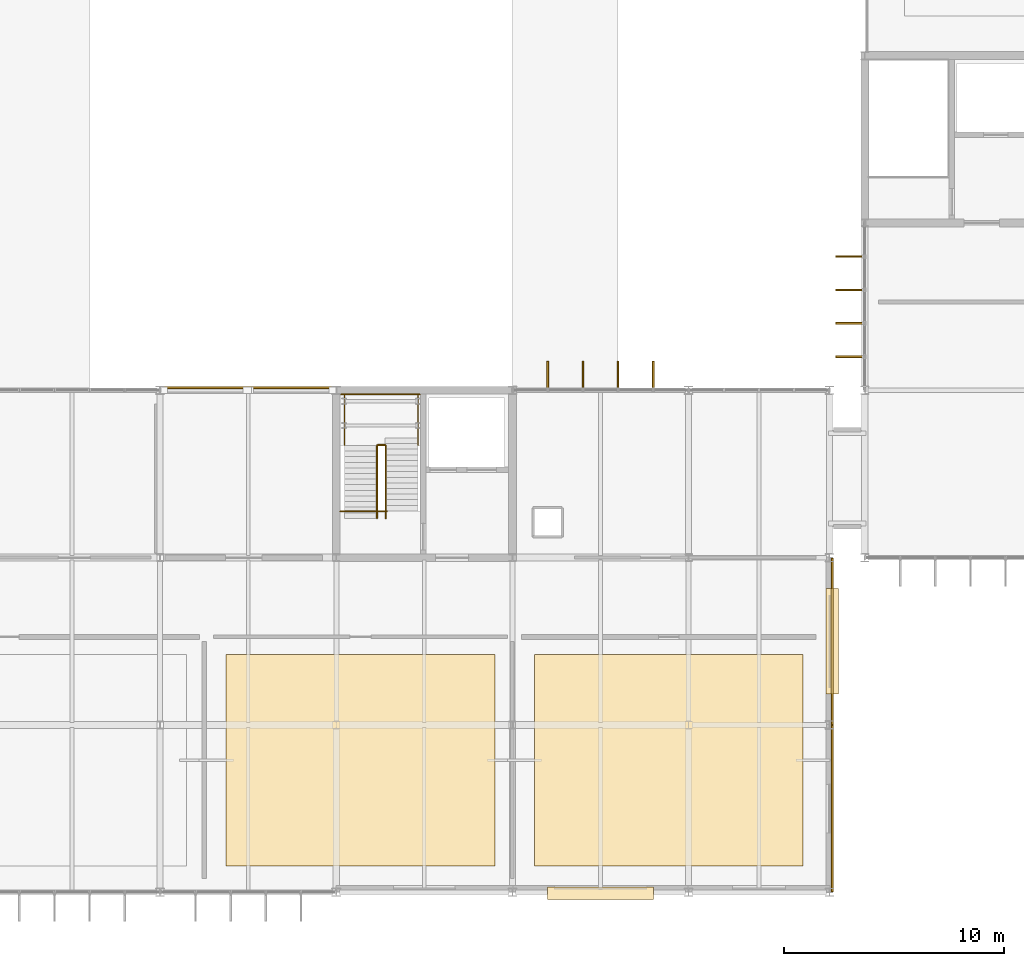
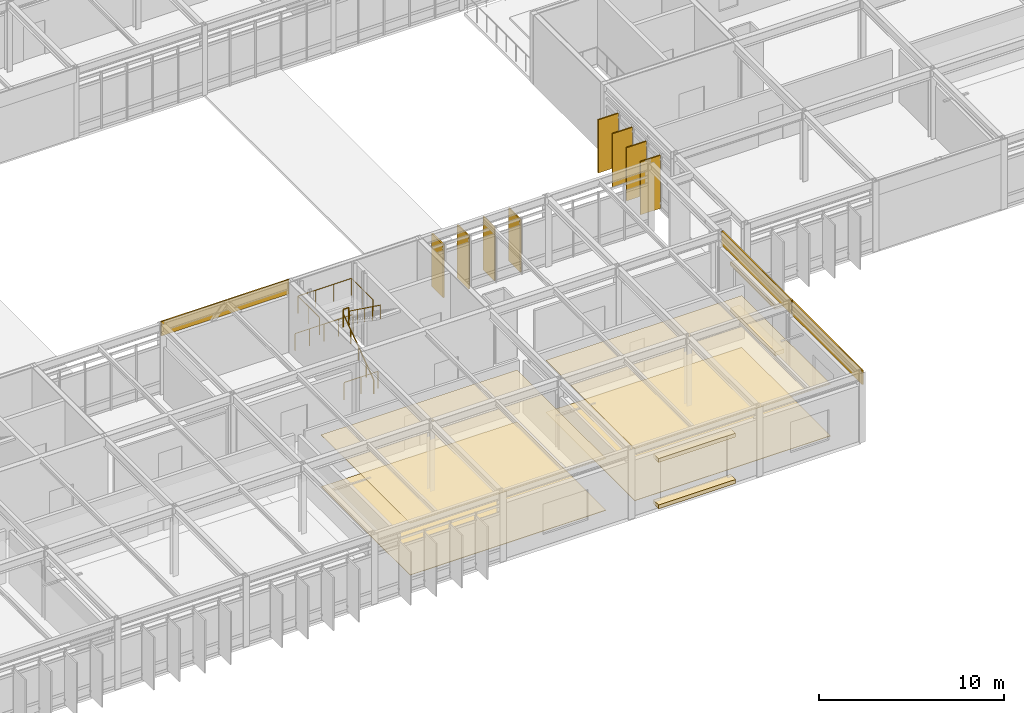
# One storey, part 95 of 100: 11 coverings, 8 shading devices, 6 railings.
"""IFC4 building model written with IfcOpenShell, lengths in metres."""

import ifcopenshell
import ifcopenshell.guid

model = None  # the IFC model being written
_history = None  # IfcOwnerHistory: only IFC2X3 demands one
_inside = {}  # id of a spatial element -> (the spatial element, [elements in it])
_under = {}  # id of a project, library or spatial element -> (it, [spatial elements below it])
_declared = {}  # id of a project -> (the project, [libraries it declares])
_typed = {}  # id of a type object -> (the type object, [elements of that type])
_made_of = {}  # id of a material, layer set ... -> (it, [elements and type objects made of it])


def new_model(schema):
    """Start an empty IFC model of exactly this schema.

    Asked for "IFC4X3", IfcOpenShell would pick the latest addendum, in which some entities
    have other attributes; the version numbers below select the first issue.
    IFC2X3 requires an IfcOwnerHistory on every rooted entity: one is made here for all.
    """
    global model, _history
    if schema == "IFC4X3":
        model = ifcopenshell.file(schema_version=(4, 3, 0, 0))
    else:
        model = ifcopenshell.file(schema=schema)
    _inside.clear()
    _under.clear()
    _declared.clear()
    _typed.clear()
    _made_of.clear()
    _history = None
    if model.schema == "IFC2X3":
        org = make("IfcOrganization", Name="unknown")
        user = make(
            "IfcPersonAndOrganization",
            ThePerson=make("IfcPerson", FamilyName="unknown"),
            TheOrganization=org,
        )
        app = make(
            "IfcApplication",
            ApplicationDeveloper=org,
            Version="unknown",
            ApplicationFullName="unknown",
            ApplicationIdentifier="unknown",
        )
        _history = make(
            "IfcOwnerHistory",
            OwningUser=user,
            OwningApplication=app,
            ChangeAction="ADDED",
            CreationDate=0,
        )
    return model


def make(cls, **values):
    """One entity of the class cls with the attributes given. An attribute that is None is left unset."""
    return model.create_entity(
        cls, **{name: value for name, value in values.items() if value is not None}
    )


def rooted(cls, **values):
    """An entity with a GlobalId (a new one), such as an element, a storey or a relation."""
    return make(cls, GlobalId=ifcopenshell.guid.new(), OwnerHistory=_history, **values)


def si_unit(unit_type, name, prefix=None):
    """IfcSIUnit, for example si_unit("LENGTHUNIT", "METRE", prefix="MILLI")."""
    return make("IfcSIUnit", UnitType=unit_type, Prefix=prefix, Name=name)


def assignment(units):
    """IfcUnitAssignment: the units of a project."""
    return None if units is None else make("IfcUnitAssignment", Units=units)


def point(xyz):
    """IfcCartesianPoint."""
    return None if xyz is None else make("IfcCartesianPoint", Coordinates=xyz)


def direction(xyz):
    """IfcDirection."""
    return None if xyz is None else make("IfcDirection", DirectionRatios=xyz)


def frame(location, z_axis=None, x_axis=None):
    """IfcAxis2Placement3D, a coordinate frame: its origin and axes. An axis left out is left unset."""
    return make(
        "IfcAxis2Placement3D",
        Location=point(location),
        Axis=direction(z_axis),
        RefDirection=direction(x_axis),
    )


def frame_2d(location, x_axis=None):
    """IfcAxis2Placement2D, a coordinate frame in the plane: its origin and x axis."""
    return make(
        "IfcAxis2Placement2D", Location=point(location), RefDirection=direction(x_axis)
    )


def origin():
    """The frame at (0, 0, 0) with its axes left unset."""
    return frame((0.0, 0.0, 0.0))


def origin_2d():
    """The frame at (0, 0) in the plane with its x axis left unset."""
    return frame_2d((0.0, 0.0))


def place(relative_to, where):
    """IfcLocalPlacement: puts the frame where relative to a parent placement (None: the world)."""
    return make(
        "IfcLocalPlacement", PlacementRelTo=relative_to, RelativePlacement=where
    )


def context(
    kind, dimensions, precision=None, world=None, true_north=None, identifier=None
):
    """IfcGeometricRepresentationContext, for example the 3D "Model" context."""
    return make(
        "IfcGeometricRepresentationContext",
        ContextIdentifier=identifier,
        ContextType=kind,
        CoordinateSpaceDimension=dimensions,
        Precision=precision,
        WorldCoordinateSystem=world,
        TrueNorth=true_north,
    )


def subcontext(parent, identifier, kind, view, scale=None):
    """IfcGeometricRepresentationSubContext, for example "Body" below "Model"."""
    return make(
        "IfcGeometricRepresentationSubContext",
        ContextIdentifier=identifier,
        ContextType=kind,
        ParentContext=parent,
        TargetScale=scale,
        TargetView=view,
    )


def project(units=None, contexts=None):
    """IfcProject with its units and contexts."""
    return rooted(
        "IfcProject",
        Name="project",
        RepresentationContexts=contexts,
        UnitsInContext=assignment(units),
    )


def spatial(cls, under=None, at=None, **own):
    """A site, building, storey or space (cls), placed at a placement, below another one or the project."""
    s = rooted(cls, ObjectPlacement=at, **own)
    if under is not None:
        _under.setdefault(under.id(), (under, []))[1].append(s)
    return s


def polyline(points):
    """IfcPolyline through the points."""
    return make("IfcPolyline", Points=[point(p) for p in points])


def profile(cls, at=None, kind="AREA", **sizes):
    """A parametric profile (cls). Its sizes go by their IFC names, for example OverallWidth=200.0."""
    return make(cls, ProfileType=kind, Position=at, **sizes)


def rectangle(**sizes):
    """IfcRectangleProfileDef."""
    return profile("IfcRectangleProfileDef", **sizes)


def circle(**sizes):
    """IfcCircleProfileDef."""
    return profile("IfcCircleProfileDef", **sizes)


def outline(outer, holes=None, kind="AREA"):
    """IfcArbitraryClosedProfileDef: a profile drawn as a closed curve; with holes, ...WithVoids."""
    if holes is None:
        return make("IfcArbitraryClosedProfileDef", ProfileType=kind, OuterCurve=outer)
    return make(
        "IfcArbitraryProfileDefWithVoids",
        ProfileType=kind,
        OuterCurve=outer,
        InnerCurves=holes,
    )


def extrude(swept, where, along, depth):
    """IfcExtrudedAreaSolid: the profile swept, set in the frame where, extruded along a direction by depth."""
    return make(
        "IfcExtrudedAreaSolid",
        SweptArea=swept,
        Position=where,
        ExtrudedDirection=direction(along),
        Depth=depth,
    )


def shape(context_of_items, identifier, shape_type, items):
    """IfcShapeRepresentation: the items that make up one representation, for example the "Body"."""
    return make(
        "IfcShapeRepresentation",
        ContextOfItems=context_of_items,
        RepresentationIdentifier=identifier,
        RepresentationType=shape_type,
        Items=items,
    )


def material(Name=None, Category=None):
    """IfcMaterial."""
    return make("IfcMaterial", Name=Name, Category=Category)


def layer(
    of_material, thickness, ventilated=None, Name=None, Category=None, Priority=None
):
    """IfcMaterialLayer: one layer of a wall or slab, of a material (None: an air gap)."""
    return make(
        "IfcMaterialLayer",
        Material=of_material,
        LayerThickness=thickness,
        IsVentilated=ventilated,
        Name=Name,
        Category=Category,
        Priority=Priority,
    )


def layer_set(layers, Name=None):
    """IfcMaterialLayerSet."""
    return make("IfcMaterialLayerSet", MaterialLayers=layers, LayerSetName=Name)


def made_of(thing, what):
    """Note that an element or type object is made of a material, layer set ...; save() writes the relation."""
    if what is not None:
        _made_of.setdefault(what.id(), (what, []))[1].append(thing)
    return thing


def type_object(cls, material=None, **own):
    """A type object (cls), such as IfcWallType, which elements share."""
    return made_of(rooted(cls, **own), material)


def element(
    cls,
    number,
    at=None,
    inside=None,
    cuts=None,
    type_object=None,
    material=None,
    context=None,
    identifier="Body",
    shape_type=None,
    held_by="IfcProductDefinitionShape",
    body=None,
    shapes=None,
    **own,
):
    """One element of the class cls, such as IfcWall. Its Tag is "e" and its number.

    at: its placement. inside: the storey or other place that contains it. cuts: it is an
    opening in that element (IfcRelVoidsElement). A single representation is given by context,
    identifier, shape_type and body (its items); several are given by shapes. held_by: the class
    of the entity that holds the representations. save() writes the other relations.
    """
    e = rooted(cls, Tag="e%d" % number, ObjectPlacement=at, **own)
    if body is not None:
        shapes = [shape(context, identifier, shape_type, body)]
    if shapes is not None:
        e.Representation = make(held_by, Representations=shapes)
    if inside is not None:
        _inside.setdefault(inside.id(), (inside, []))[1].append(e)
    if cuts is not None:
        rooted(
            "IfcRelVoidsElement", RelatingBuildingElement=cuts, RelatedOpeningElement=e
        )
    if type_object is not None:
        _typed.setdefault(type_object.id(), (type_object, []))[1].append(e)
    return made_of(e, material)


def aggregate(whole, parts):
    """IfcRelAggregates: a whole, such as a stair, and the parts it consists of."""
    return rooted("IfcRelAggregates", RelatingObject=whole, RelatedObjects=parts)


def save(model, path):
    """Write the relations noted so far, then the file.

    IfcRelAggregates (storeys below a building ...), IfcRelContainedInSpatialStructure (elements
    in a storey), IfcRelDefinesByType, IfcRelAssociatesMaterial and IfcRelDeclares: one each for
    every whole, place, type object, material and project.
    """
    for whole, parts in _under.values():
        aggregate(whole, parts)
    for where, things in _inside.values():
        rooted(
            "IfcRelContainedInSpatialStructure",
            RelatedElements=things,
            RelatingStructure=where,
        )
    for kind, things in _typed.values():
        rooted("IfcRelDefinesByType", RelatedObjects=things, RelatingType=kind)
    for what, things in _made_of.values():
        rooted("IfcRelAssociatesMaterial", RelatedObjects=things, RelatingMaterial=what)
    for by, libraries in _declared.values():
        rooted("IfcRelDeclares", RelatingContext=by, RelatedDefinitions=libraries)
    model.write(path)


model = new_model("IFC4")

# Units and contexts
model_context = context("Model", 3, precision=1e-05, world=origin(), true_north=direction((0.0, 1.0)))
body_context = subcontext(model_context, "Body", "Model", "MODEL_VIEW")
ifc_project = project(units=[si_unit("LENGTHUNIT", "METRE"), si_unit("AREAUNIT", "SQUARE_METRE"), si_unit("VOLUMEUNIT", "CUBIC_METRE"), si_unit("PLANEANGLEUNIT", "RADIAN"), si_unit("MASSUNIT", "GRAM", prefix="KILO")], contexts=[model_context])

# Site, building, storey
site_placement = place(None, origin())
site = spatial("IfcSite", under=ifc_project, at=site_placement, CompositionType="ELEMENT")
building_placement = place(site_placement, origin())
building = spatial("IfcBuilding", under=site, at=building_placement, Name="Zulena Civic Courthouse", CompositionType="ELEMENT")
storey_placement = place(building_placement, frame((0.0, 0.0, 20.39990234375)))
storey = spatial("IfcBuildingStorey", under=building, at=storey_placement, Name="L04", CompositionType="ELEMENT", Elevation=20.39990234375)

# Coverings
ifc_material_1 = material(Name="Perforated acoustic mineral-fibre ceiling tile", Category="concrete")
ifc_layer_1 = layer(ifc_material_1, 0.02490234375)
ifc_layer_set_1 = layer_set([ifc_layer_1], Name="Perforated acoustic mineral-fibre ceiling tile")
covering_type_1 = type_object("IfcCoveringType", Name="AcousticCeiling_25", PredefinedType="CEILING", material=ifc_layer_set_1)
covering_1_placement = place(storey_placement, frame((0.0, 0.0, 3.420166015625)))
element("IfcCovering", 1, at=covering_1_placement, inside=storey, type_object=covering_type_1, Name="ceil:L04:325", PredefinedType="CEILING", context=body_context, shape_type="SweptSolid", body=[
    extrude(outline(polyline([(39.0, 1.199951171875), (51.199951171875, 1.199951171875), (51.199951171875, 10.800048828125), (39.0, 10.800048828125), (39.0, 1.199951171875)])), origin(), (0.0, 0.0, 1.0), 0.02490234375),
])
covering_2_placement = place(storey_placement, frame((0.0, 0.0, 3.420166015625)))
element("IfcCovering", 2, at=covering_2_placement, inside=storey, type_object=covering_type_1, Name="ceil:L04:326", PredefinedType="CEILING", context=body_context, shape_type="SweptSolid", body=[
    extrude(outline(polyline([(53.0, 1.199951171875), (65.199951171875, 1.199951171875), (65.199951171875, 10.800048828125), (53.0, 10.800048828125), (53.0, 1.199951171875)])), origin(), (0.0, 0.0, 1.0), 0.02490234375),
])

# Shading devices
ifc_material_2 = material(Name="Gold anodised architectural aluminium AA6063-T6", Category="aluminium")
shading_device_type = type_object("IfcShadingDeviceType", Name="GoldSolarFin_350", PredefinedType="USERDEFINED", material=ifc_material_2)
for number, where, z_axis, x_axis, name in (
    (3, (53.607177734375, 23.485107421875, 0.050048828125), (0.0, 0.0, 1.0), (0.0, 1.0, 0.0), "fin:V2:L04:1:6:1"),
    (4, (55.202392578125, 23.485107421875, 0.050048828125), (0.0, 0.0, 1.0), (0.0, 1.0, 0.0), "fin:V2:L04:1:6:2"),
    (5, (56.797607421875, 23.485107421875, 0.050048828125), (0.0, 0.0, 1.0), (0.0, 1.0, 0.0), "fin:V2:L04:1:6:3"),
    (6, (58.392822265625, 23.485107421875, 0.050048828125), (0.0, 0.0, 1.0), (0.0, 1.0, 0.0), "fin:V2:L04:1:6:4"),
    (7, (67.31494140625, 24.3271484375, 0.050048828125), (0.0, 0.0, 1.0), (-1.0, 0.0, 0.0), "fin:V4:L04:0:1:1"),
    (8, (67.31494140625, 25.84228515625, 0.050048828125), (0.0, 0.0, 1.0), (-1.0, 0.0, 0.0), "fin:V4:L04:0:1:2"),
    (9, (67.31494140625, 27.357666015625, 0.050048828125), (0.0, 0.0, 1.0), (-1.0, 0.0, 0.0), "fin:V4:L04:0:1:3"),
    (10, (67.31494140625, 28.872802734375, 0.050048828125), (0.0, 0.0, 1.0), (-1.0, 0.0, 0.0), "fin:V4:L04:0:1:4"),
):
    element("IfcShadingDevice", number, at=place(storey_placement, frame(where, z_axis=z_axis, x_axis=x_axis)), inside=storey, type_object=shading_device_type, Name=name, ObjectType="FIN", PredefinedType="USERDEFINED", context=body_context, shape_type="SweptSolid", body=[
        extrude(rectangle(XDim=1.25, YDim=0.080078125, at=origin_2d()), origin(), (0.0, 0.0, 1.0), 3.5),
    ])

# Railings
ifc_material_3 = material(Name="Brushed architectural steel ASTM A36", Category="steel")
railing_type_1 = type_object("IfcRailingType", Name="InteriorGuardrail_1150", PredefinedType="GUARDRAIL", material=ifc_material_3)
railing_1_placement = place(storey_placement, frame((44.199951171875, 22.610107421875, 0.0)))
element("IfcRailing", 11, at=railing_1_placement, inside=storey, type_object=railing_type_1, Name="gr:wellN:K2B:L03", PredefinedType="GUARDRAIL", context=body_context, shape_type="SweptSolid", body=[
    extrude(circle(Radius=0.02392578125, at=origin_2d()), frame((0.00390625, 0.0, 1.1259765625), z_axis=(1.0, 0.0, 0.0), x_axis=(0.0, 1.0, 0.0)), (0.0, 0.0, 1.0), 3.592041015625),
    extrude(circle(Radius=0.02099609375, at=origin_2d()), origin(), (0.0, 0.0, 1.0), 1.097900390625),
    extrude(circle(Radius=0.02099609375, at=origin_2d()), frame((0.89990234375, 0.0, 0.0)), (0.0, 0.0, 1.0), 1.097900390625),
    extrude(circle(Radius=0.02099609375, at=origin_2d()), frame((1.800048828125, 0.0, 0.0)), (0.0, 0.0, 1.0), 1.097900390625),
    extrude(circle(Radius=0.02099609375, at=origin_2d()), frame((2.7001953125, 0.0, 0.0)), (0.0, 0.0, 1.0), 1.097900390625),
    extrude(circle(Radius=0.02099609375, at=origin_2d()), frame((3.60009765625, 0.0, 0.0)), (0.0, 0.0, 1.0), 1.097900390625),
])
railing_2_placement = place(storey_placement, frame((44.179931640625, 17.300048828125, 0.0)))
element("IfcRailing", 12, at=railing_2_placement, inside=storey, type_object=railing_type_1, Name="gr:wells:K2B:L04", PredefinedType="GUARDRAIL", context=body_context, shape_type="SweptSolid", body=[
    extrude(circle(Radius=0.02392578125, at=origin_2d()), frame((0.00390625, 0.0, 1.1259765625), z_axis=(1.0, 0.0, 0.0), x_axis=(0.0, 1.0, 0.0)), (0.0, 0.0, 1.0), 2.112060546875),
    extrude(circle(Radius=0.02099609375, at=origin_2d()), origin(), (0.0, 0.0, 1.0), 1.097900390625),
    extrude(circle(Radius=0.02099609375, at=origin_2d()), frame((1.06005859375, 0.0, 0.0)), (0.0, 0.0, 1.0), 1.097900390625),
    extrude(circle(Radius=0.02099609375, at=origin_2d()), frame((2.1201171875, 0.0, 0.0)), (0.0, 0.0, 1.0), 1.097900390625),
])
railing_3_placement = place(storey_placement, frame((44.3798828125, 20.294677734375, 2.400146484375)))
element("IfcRailing", 13, at=railing_3_placement, inside=storey, type_object=railing_type_1, Name="gr:lnd:K2B:L04", PredefinedType="GUARDRAIL", context=body_context, shape_type="SweptSolid", body=[
    extrude(circle(Radius=0.02392578125, at=origin_2d()), frame((0.0, 0.00390625, 1.1259765625), z_axis=(0.0, 1.0, 0.0), x_axis=(-1.0, 0.0, 0.0)), (0.0, 0.0, 1.0), 2.3173828125),
    extrude(circle(Radius=0.02392578125, at=origin_2d()), frame((0.00390625, 2.325439453125, 1.1259765625), z_axis=(1.0, 0.0, 0.0), x_axis=(0.0, 1.0, 0.0)), (0.0, 0.0, 1.0), 3.33203125),
    extrude(circle(Radius=0.02392578125, at=origin_2d()), frame((3.340087890625, 2.321533203125, 1.1259765625), z_axis=(0.0, -1.0, 0.0), x_axis=(1.0, 0.0, 0.0)), (0.0, 0.0, 1.0), 2.3173828125),
    extrude(circle(Radius=0.02099609375, at=origin_2d()), origin(), (0.0, 0.0, 1.0), 1.097900390625),
    extrude(circle(Radius=0.02099609375, at=origin_2d()), frame((0.0, 1.16259765625, 0.0)), (0.0, 0.0, 1.0), 1.097900390625),
    extrude(circle(Radius=0.02099609375, at=origin_2d()), frame((0.0, 2.325439453125, 0.0)), (0.0, 0.0, 1.0), 1.097900390625),
    extrude(circle(Radius=0.02099609375, at=origin_2d()), frame((1.11328125, 2.325439453125, 0.0)), (0.0, 0.0, 1.0), 1.097900390625),
    extrude(circle(Radius=0.02099609375, at=origin_2d()), frame((2.226806640625, 2.325439453125, 0.0)), (0.0, 0.0, 1.0), 1.097900390625),
    extrude(circle(Radius=0.02099609375, at=origin_2d()), frame((3.340087890625, 2.325439453125, 0.0)), (0.0, 0.0, 1.0), 1.097900390625),
    extrude(circle(Radius=0.02099609375, at=origin_2d()), frame((3.340087890625, 1.16259765625, 0.0)), (0.0, 0.0, 1.0), 1.097900390625),
    extrude(circle(Radius=0.02099609375, at=origin_2d()), frame((3.340087890625, 0.0, 0.0)), (0.0, 0.0, 1.0), 1.097900390625),
])
railing_4_placement = place(storey_placement, frame((45.8798828125, 20.31494140625, 2.400146484375)))
element("IfcRailing", 14, at=railing_4_placement, inside=storey, type_object=railing_type_1, Name="gr:lndslot:K2B:L04", PredefinedType="GUARDRAIL", context=body_context, shape_type="SweptSolid", body=[
    extrude(circle(Radius=0.02392578125, at=origin_2d()), frame((0.00390625, 0.0, 1.1259765625), z_axis=(1.0, 0.0, 0.0), x_axis=(0.0, 1.0, 0.0)), (0.0, 0.0, 1.0), 0.33203125),
    extrude(circle(Radius=0.02099609375, at=origin_2d()), origin(), (0.0, 0.0, 1.0), 1.097900390625),
    extrude(circle(Radius=0.02099609375, at=origin_2d()), frame((0.340087890625, 0.0, 0.0)), (0.0, 0.0, 1.0), 1.097900390625),
])

# Coverings
ifc_material_4 = material(Name="White architectural precast concrete C40/50", Category="concrete")
ifc_layer_2 = layer(ifc_material_4, 0.0849609375)
ifc_layer_set_2 = layer_set([ifc_layer_2], Name="White architectural precast concrete C40/50")
covering_type_2 = type_object("IfcCoveringType", Name="PrecastSpandrelCladding_85", PredefinedType="CLADDING", material=ifc_layer_set_2)
covering_3_placement = place(storey_placement, frame((40.0, 22.919921875, 3.66015625), z_axis=(0.0, 0.0, 1.0), x_axis=(1.0, 0.0, 0.0)))
element("IfcCovering", 15, at=covering_3_placement, inside=storey, type_object=covering_type_2, Name="clad:sp:V2:L04:1:4", PredefinedType="CLADDING", context=body_context, shape_type="SweptSolid", body=[
    extrude(rectangle(XDim=7.9599609375, YDim=0.0849609375, at=origin_2d()), origin(), (0.0, 0.0, 1.0), 0.93994140625),
])
covering_4_placement = place(storey_placement, frame((66.52001953125, 11.39990234375, 3.66015625), z_axis=(0.0, 0.0, 1.0), x_axis=(0.0, -1.0, 0.0)))
element("IfcCovering", 16, at=covering_4_placement, inside=storey, type_object=covering_type_2, Name="clad:sp:V2:L04:2:1", PredefinedType="CLADDING", context=body_context, shape_type="SweptSolid", body=[
    extrude(rectangle(XDim=7.56005859375, YDim=0.0849609375, at=origin_2d()), origin(), (0.0, 0.0, 1.0), 0.93994140625),
])
for number, where, z_axis, x_axis, name in (
    (17, (66.52001953125, 11.39990234375, 3.240234375), (0.0, 0.0, 1.0), (1.0, 0.0, 0.0), "clad:outlook:L04:2:1:top"),
    (18, (66.52001953125, 11.39990234375, 0.18994140625), (0.0, 0.0, 1.0), (1.0, 0.0, 0.0), "clad:outlook:L04:2:1:bot"),
):
    element("IfcCovering", number, at=place(storey_placement, frame(where, z_axis=z_axis, x_axis=x_axis)), inside=storey, type_object=covering_type_2, Name=name, PredefinedType="CLADDING", context=body_context, shape_type="SweptSolid", body=[
        extrude(rectangle(XDim=0.56005859375, YDim=4.800048828125, at=origin_2d()), origin(), (0.0, 0.0, 1.0), 0.260009765625),
    ])
covering_5_placement = place(storey_placement, frame((66.52001953125, 3.800048828125, 3.66015625), z_axis=(0.0, 0.0, 1.0), x_axis=(0.0, -1.0, 0.0)))
element("IfcCovering", 19, at=covering_5_placement, inside=storey, type_object=covering_type_2, Name="clad:sp:V2:L04:2:2", PredefinedType="CLADDING", context=body_context, shape_type="SweptSolid", body=[
    extrude(rectangle(XDim=7.56005859375, YDim=0.0849609375, at=origin_2d()), origin(), (0.0, 0.0, 1.0), 0.93994140625),
])
for number, where, z_axis, x_axis, name in (
    (20, (56.0, -0.0400390625, 3.240234375), (0.0, 0.0, 1.0), (1.0, 0.0, 0.0), "clad:outlook:L04:3:1:top"),
    (21, (56.0, -0.0400390625, 0.18994140625), (0.0, 0.0, 1.0), (1.0, 0.0, 0.0), "clad:outlook:L04:3:1:bot"),
):
    element("IfcCovering", number, at=place(storey_placement, frame(where, z_axis=z_axis, x_axis=x_axis)), inside=storey, type_object=covering_type_2, Name=name, PredefinedType="CLADDING", context=body_context, shape_type="SweptSolid", body=[
        extrude(rectangle(XDim=4.800048828125, YDim=0.56005859375, at=origin_2d()), origin(), (0.0, 0.0, 1.0), 0.260009765625),
    ])

# Railings
railing_type_2 = type_object("IfcRailingType", Name="StairHandrail_920", PredefinedType="HANDRAIL", material=ifc_material_3)
railing_5_placement = place(storey_placement, frame((45.85009765625, 16.97998046875, 0.0)))
element("IfcRailing", 22, at=railing_5_placement, inside=storey, type_object=railing_type_2, Name="hr:K2B:L04:1", PredefinedType="HANDRAIL", context=body_context, shape_type="SweptSolid", body=[
    extrude(circle(Radius=0.02392578125, at=origin_2d()), frame((0.0, 0.003173828125, 0.898193359375), z_axis=(0.0, 0.809959711079, 0.586485521074), x_axis=(-1.0, 0.0, 0.0)), (0.0, 0.0, 1.0), 4.08447265625),
    extrude(circle(Radius=0.02099609375, at=origin_2d()), origin(), (0.0, 0.0, 1.0), 0.867919921875),
    extrude(circle(Radius=0.02099609375, at=origin_2d()), frame((0.0, 0.82861328125, 0.60009765625)), (0.0, 0.0, 1.0), 0.867919921875),
    extrude(circle(Radius=0.02099609375, at=origin_2d()), frame((0.0, 1.6572265625, 1.2001953125)), (0.0, 0.0, 1.0), 0.867919921875),
    extrude(circle(Radius=0.02099609375, at=origin_2d()), frame((0.0, 2.486083984375, 1.800048828125)), (0.0, 0.0, 1.0), 0.867919921875),
    extrude(circle(Radius=0.02099609375, at=origin_2d()), frame((0.0, 3.314697265625, 2.400146484375)), (0.0, 0.0, 1.0), 0.867919921875),
])
railing_6_placement = place(storey_placement, frame((46.25, 20.294677734375, 2.400146484375)))
element("IfcRailing", 23, at=railing_6_placement, inside=storey, type_object=railing_type_2, Name="hr:K2B:L04:2", PredefinedType="HANDRAIL", context=body_context, shape_type="SweptSolid", body=[
    extrude(circle(Radius=0.02392578125, at=origin_2d()), frame((0.0, -0.003173828125, 0.898193359375), z_axis=(0.0, -0.80998804985, 0.586446382119), x_axis=(1.0, 0.0, 0.0)), (0.0, 0.0, 1.0), 4.084228515625),
    extrude(circle(Radius=0.02099609375, at=origin_2d()), origin(), (0.0, 0.0, 1.0), 0.867919921875),
    extrude(circle(Radius=0.02099609375, at=origin_2d()), frame((0.0, -0.82861328125, 0.60009765625)), (0.0, 0.0, 1.0), 0.867919921875),
    extrude(circle(Radius=0.02099609375, at=origin_2d()), frame((0.0, -1.6572265625, 1.199951171875)), (0.0, 0.0, 1.0), 0.867919921875),
    extrude(circle(Radius=0.02099609375, at=origin_2d()), frame((0.0, -2.486083984375, 1.7998046875)), (0.0, 0.0, 1.0), 0.867919921875),
    extrude(circle(Radius=0.02099609375, at=origin_2d()), frame((0.0, -3.314697265625, 2.39990234375)), (0.0, 0.0, 1.0), 0.867919921875),
])

# Coverings
ifc_material_5 = material(Name="Honed travertine stone flooring", Category="masonry")
ifc_layer_3 = layer(ifc_material_5, 0.030029296875)
ifc_layer_set_3 = layer_set([ifc_layer_3], Name="Honed travertine stone flooring")
covering_type_3 = type_object("IfcCoveringType", Name="TravertineFlooring_30", PredefinedType="FLOORING", material=ifc_layer_set_3)
covering_6_placement = place(storey_placement, origin())
element("IfcCovering", 24, at=covering_6_placement, inside=storey, type_object=covering_type_3, Name="floor:L04:325", PredefinedType="FLOORING", context=body_context, shape_type="SweptSolid", body=[
    extrude(outline(polyline([(39.0, 1.199951171875), (51.199951171875, 1.199951171875), (51.199951171875, 10.800048828125), (39.0, 10.800048828125), (39.0, 1.199951171875)])), origin(), (0.0, 0.0, 1.0), 0.030029296875),
])
covering_7_placement = place(storey_placement, origin())
element("IfcCovering", 25, at=covering_7_placement, inside=storey, type_object=covering_type_3, Name="floor:L04:326", PredefinedType="FLOORING", context=body_context, shape_type="SweptSolid", body=[
    extrude(outline(polyline([(53.0, 1.199951171875), (65.199951171875, 1.199951171875), (65.199951171875, 10.800048828125), (53.0, 10.800048828125), (53.0, 1.199951171875)])), origin(), (0.0, 0.0, 1.0), 0.030029296875),
])

save(model, "model.ifc")
